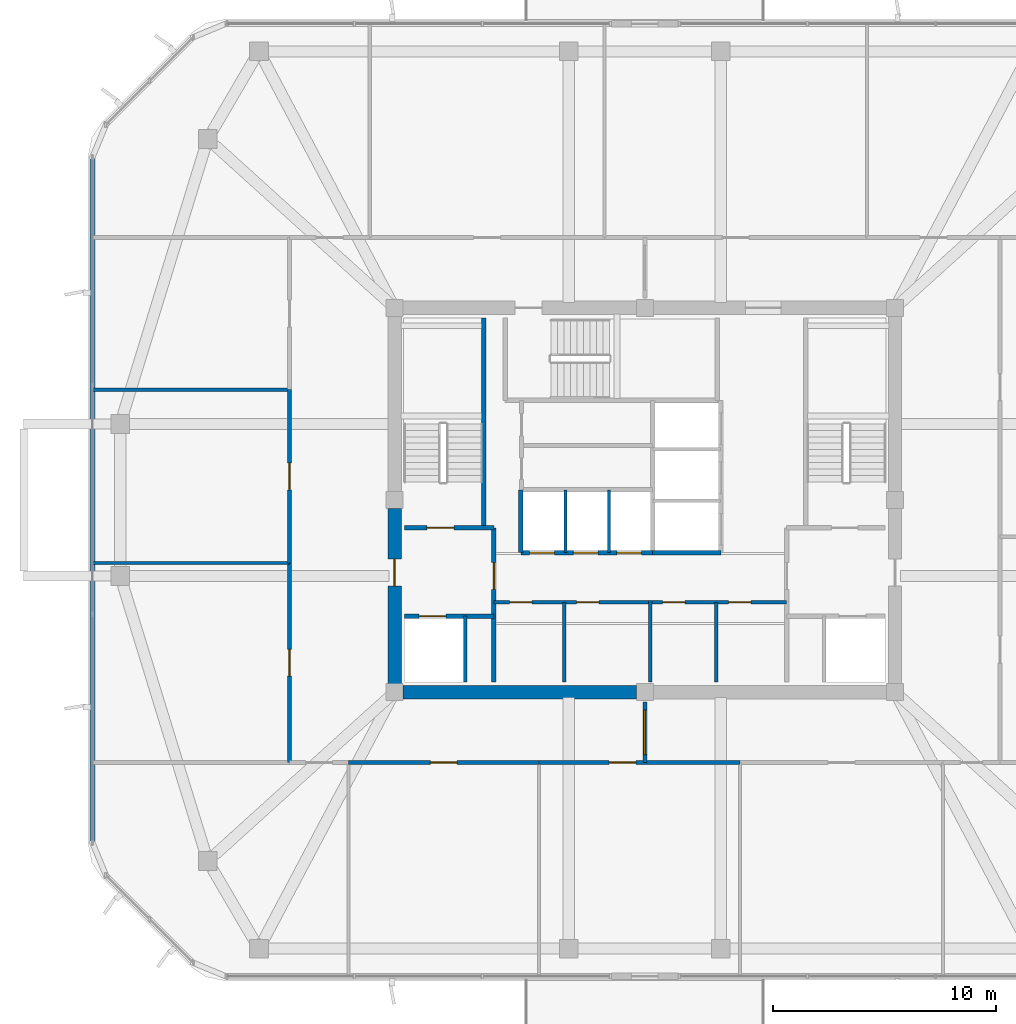
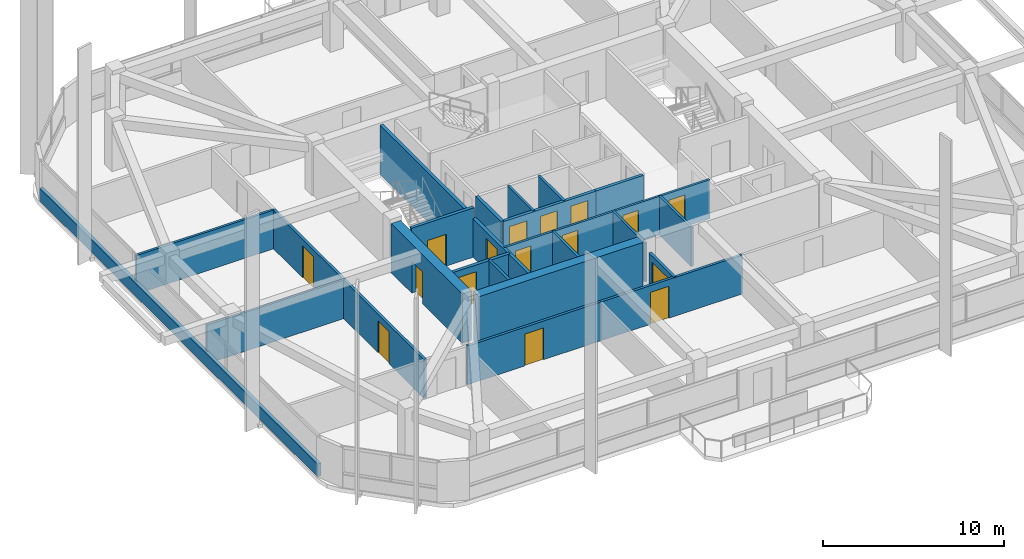
# One storey, part 7 of 12: 25 walls, 16 doors, 16 openings.
"""IFC4 building model written with IfcOpenShell, lengths in metres."""

from ifc_helpers import new_model, si_unit, derived_unit, direction, frame, frame_2d, origin, place, context, subcontext, project, spatial, rectangle, extrude, material, layer, layer_set, type_object, element, fill, save


model = new_model("IFC4")

# Units and contexts
model_context = context("Model", 3, precision=1e-05, world=origin(), true_north=direction((0.0, 1.0)))
body_context = subcontext(model_context, "Body", "Model", "MODEL_VIEW")
ifc_project = project(units=[si_unit("LENGTHUNIT", "METRE"), si_unit("AREAUNIT", "SQUARE_METRE"), si_unit("VOLUMEUNIT", "CUBIC_METRE"), si_unit("PLANEANGLEUNIT", "RADIAN"), si_unit("MASSUNIT", "GRAM", prefix="KILO"), derived_unit("THERMALTRANSMITTANCEUNIT", [(si_unit("POWERUNIT", "WATT"), 1), (si_unit("LENGTHUNIT", "METRE"), -2), (si_unit("THERMODYNAMICTEMPERATUREUNIT", "KELVIN"), -1)])], contexts=[model_context])

# Site, building, storey
site_placement = place(None, origin())
site = spatial("IfcSite", under=ifc_project, at=site_placement, CompositionType="ELEMENT")
building_placement = place(site_placement, origin())
building = spatial("IfcBuilding", under=site, at=building_placement, Name="Koralith Skygarden Medical Center", CompositionType="ELEMENT")
storey_placement = place(building_placement, frame((0.0, 0.0, 268.02001953125)))
storey = spatial("IfcBuildingStorey", under=building, at=storey_placement, Name="L69", CompositionType="ELEMENT", Elevation=268.02001953125)

# Wall, openings, doors
ifc_material_1 = material(Name="Gypsum Board Partition")
ifc_layer_1 = layer(ifc_material_1, 0.14990234375)
ifc_layer_set_1 = layer_set([ifc_layer_1], Name="Gypsum Board Partition")
wall_type_1 = type_object("IfcWallType", Name="Clinical Acoustic Partition 150", PredefinedType="PARTITIONING", material=ifc_layer_set_1)
wall_1_placement = place(storey_placement, frame((30.25, 21.320068359375, 0.0), z_axis=(0.0, 0.0, 1.0), x_axis=(1.0, 0.0, 0.0)))
wall_1 = element("IfcWall", 1, at=wall_1_placement, inside=storey, type_object=wall_type_1, Name="L69 Clinical Acoustic Partition 150 W-CORE-L69-FREED-LR-N", PredefinedType="PARTITIONING", context=body_context, shape_type="SweptSolid", body=[
    extrude(rectangle(XDim=7.0, YDim=0.14990234375, at=frame_2d((3.5, 0.0))), origin(), (0.0, 0.0, 1.0), 2.60986328125),
])
opening_1_placement = place(wall_1_placement, frame((0.699951171875, 0.0, 0.0)))
opening_1 = element("IfcOpeningElement", 2, at=opening_1_placement, cuts=wall_1, Name="Opening D-SUP", PredefinedType="OPENING", context=body_context, shape_type="SweptSolid", body=[
    extrude(rectangle(XDim=1.0, YDim=2.14990234375, at=frame_2d((0.5, 1.074951171875))), frame((0.0, 0.0849609375, 0.0), z_axis=(0.0, -1.0, 0.0), x_axis=(1.0, 0.0, 0.0)), (0.0, 0.0, 1.0), 0.169921875),
])
opening_2_placement = place(wall_1_placement, frame((3.699951171875, 0.0, 0.0)))
opening_2 = element("IfcOpeningElement", 3, at=opening_2_placement, cuts=wall_1, Name="Opening D-SUP", PredefinedType="OPENING", context=body_context, shape_type="SweptSolid", body=[
    extrude(rectangle(XDim=1.0, YDim=2.14990234375, at=frame_2d((0.5, 1.074951171875))), frame((0.0, 0.0849609375, 0.0), z_axis=(0.0, -1.0, 0.0), x_axis=(1.0, 0.0, 0.0)), (0.0, 0.0, 1.0), 0.169921875),
])
ifc_material_2 = material(Name="Aluminium 6063-T6", Category="aluminium")
door_type_1 = type_object("IfcDoorType", Name="Clinical Support Door D-SUP 1000", OperationType="NOTDEFINED", PredefinedType="DOOR", material=ifc_material_2)
door_1_placement = place(opening_1_placement, frame((1.0, 0.0, 0.0), z_axis=(0.0, 0.0, 1.0), x_axis=(-1.0, 0.0, 0.0)))
door_1 = element("IfcDoor", 4, at=door_1_placement, inside=storey, type_object=door_type_1, Name="L69 Medication Preparation Door", OperationType="SINGLE_SWING_LEFT", OverallHeight=2.14990234375, OverallWidth=1.0, PredefinedType="DOOR", context=body_context, shape_type="SweptSolid", body=[
    extrude(rectangle(XDim=1.0, YDim=2.14990234375, at=frame_2d((0.5, 1.074951171875))), frame((0.0, 0.02490234375, 0.0), z_axis=(0.0, -1.0, 0.0), x_axis=(1.0, 0.0, 0.0)), (0.0, 0.0, 1.0), 0.050048828125),
])
fill(opening_1, door_1)
door_2_placement = place(opening_2_placement, frame((1.0, 0.0, 0.0), z_axis=(0.0, 0.0, 1.0), x_axis=(-1.0, 0.0, 0.0)))
door_2 = element("IfcDoor", 5, at=door_2_placement, inside=storey, type_object=door_type_1, Name="L69 Telemetry Room Door", OperationType="SINGLE_SWING_RIGHT", OverallHeight=2.14990234375, OverallWidth=1.0, PredefinedType="DOOR", context=body_context, shape_type="SweptSolid", body=[
    extrude(rectangle(XDim=1.0, YDim=2.14990234375, at=frame_2d((0.5, 1.074951171875))), frame((0.0, 0.02490234375, 0.0), z_axis=(0.0, -1.0, 0.0), x_axis=(1.0, 0.0, 0.0)), (0.0, 0.0, 1.0), 0.050048828125),
])
fill(opening_2, door_2)

# Wall
wall_2_placement = place(storey_placement, frame((33.39990234375, 17.75, 0.0), z_axis=(0.0, 0.0, 1.0), x_axis=(0.0, 1.0, 0.0)))
element("IfcWall", 6, at=wall_2_placement, inside=storey, type_object=wall_type_1, Name="L69 Clinical Acoustic Partition 150 W-CORE-L69-FREED-LR-M", PredefinedType="PARTITIONING", context=body_context, shape_type="SweptSolid", body=[
    extrude(rectangle(XDim=3.570068359375, YDim=0.14990234375, at=frame_2d((1.78515625, 0.0))), origin(), (0.0, 0.0, 1.0), 2.60986328125),
])

# Wall, openings, doors
wall_3_placement = place(storey_placement, frame((37.25, 21.320068359375, 0.0), z_axis=(0.0, 0.0, 1.0), x_axis=(1.0, 0.0, 0.0)))
wall_3 = element("IfcWall", 7, at=wall_3_placement, inside=storey, type_object=wall_type_1, Name="L69 Clinical Acoustic Partition 150 W-CORE-L69-FREED-MR-N", PredefinedType="PARTITIONING", context=body_context, shape_type="SweptSolid", body=[
    extrude(rectangle(XDim=6.10009765625, YDim=0.14990234375, at=frame_2d((3.050048828125, 0.0))), origin(), (0.0, 0.0, 1.0), 2.60986328125),
])
opening_3_placement = place(wall_3_placement, frame((0.550048828125, 0.0, 0.0)))
opening_3 = element("IfcOpeningElement", 8, at=opening_3_placement, cuts=wall_3, Name="Opening D-SUP", PredefinedType="OPENING", context=body_context, shape_type="SweptSolid", body=[
    extrude(rectangle(XDim=1.0, YDim=2.14990234375, at=frame_2d((0.5, 1.074951171875))), frame((0.0, 0.0849609375, 0.0), z_axis=(0.0, -1.0, 0.0), x_axis=(1.0, 0.0, 0.0)), (0.0, 0.0, 1.0), 0.169921875),
])
opening_4_placement = place(wall_3_placement, frame((3.5, 0.0, 0.0)))
opening_4 = element("IfcOpeningElement", 9, at=opening_4_placement, cuts=wall_3, Name="Opening D-SUP", PredefinedType="OPENING", context=body_context, shape_type="SweptSolid", body=[
    extrude(rectangle(XDim=1.0, YDim=2.14990234375, at=frame_2d((0.5, 1.074951171875))), frame((0.0, 0.0849609375, 0.0), z_axis=(0.0, -1.0, 0.0), x_axis=(1.0, 0.0, 0.0)), (0.0, 0.0, 1.0), 0.169921875),
])
door_3_placement = place(opening_3_placement, frame((1.0, 0.0, 0.0), z_axis=(0.0, 0.0, 1.0), x_axis=(-1.0, 0.0, 0.0)))
door_3 = element("IfcDoor", 10, at=door_3_placement, inside=storey, type_object=door_type_1, Name="L69 Satellite Pharmacy Door", OperationType="SINGLE_SWING_LEFT", OverallHeight=2.14990234375, OverallWidth=1.0, PredefinedType="DOOR", context=body_context, shape_type="SweptSolid", body=[
    extrude(rectangle(XDim=1.0, YDim=2.14990234375, at=frame_2d((0.5, 1.074951171875))), frame((0.0, 0.02490234375, 0.0), z_axis=(0.0, -1.0, 0.0), x_axis=(1.0, 0.0, 0.0)), (0.0, 0.0, 1.0), 0.050048828125),
])
fill(opening_3, door_3)
door_4_placement = place(opening_4_placement, frame((1.0, 0.0, 0.0), z_axis=(0.0, 0.0, 1.0), x_axis=(-1.0, 0.0, 0.0)))
door_4 = element("IfcDoor", 11, at=door_4_placement, inside=storey, type_object=door_type_1, Name="L69 Biomedical Equipment Door", OperationType="SINGLE_SWING_RIGHT", OverallHeight=2.14990234375, OverallWidth=1.0, PredefinedType="DOOR", context=body_context, shape_type="SweptSolid", body=[
    extrude(rectangle(XDim=1.0, YDim=2.14990234375, at=frame_2d((0.5, 1.074951171875))), frame((0.0, 0.02490234375, 0.0), z_axis=(0.0, -1.0, 0.0), x_axis=(1.0, 0.0, 0.0)), (0.0, 0.0, 1.0), 0.050048828125),
])
fill(opening_4, door_4)

# Walls
wall_4_placement = place(storey_placement, frame((40.199951171875, 17.75, 0.0), z_axis=(0.0, 0.0, 1.0), x_axis=(0.0, 1.0, 0.0)))
element("IfcWall", 12, at=wall_4_placement, inside=storey, type_object=wall_type_1, Name="L69 Clinical Acoustic Partition 150 W-CORE-L69-FREED-MR-M", PredefinedType="PARTITIONING", context=body_context, shape_type="SweptSolid", body=[
    extrude(rectangle(XDim=3.570068359375, YDim=0.14990234375, at=frame_2d((1.78515625, 0.0))), origin(), (0.0, 0.0, 1.0), 2.60986328125),
])
for number, where, z_axis, x_axis, name in (
    (13, (21.10009765625, 23.080078125, 0.0), (0.0, 0.0, 1.0), (-1.0, 0.0, 0.0), "L69 Clinical Acoustic Partition 150 W-PART-L69-W-01"),
    (14, (21.10009765625, 30.8349609375, 0.0), (0.0, 0.0, 1.0), (-1.0, 0.0, 0.0), "L69 Clinical Acoustic Partition 150 W-PART-L69-W-02"),
):
    element("IfcWall", number, at=place(storey_placement, frame(where, z_axis=z_axis, x_axis=x_axis)), inside=storey, type_object=wall_type_1, Name=name, PredefinedType="PARTITIONING", context=body_context, shape_type="SweptSolid", body=[
        extrude(rectangle(XDim=8.800048828125, YDim=0.14990234375, at=frame_2d((4.39990234375, 0.0))), origin(), (0.0, 0.0, 1.0), 2.60986328125),
    ])

# Wall, opening, door
ifc_layer_2 = layer(ifc_material_1, 0.1650390625)
ifc_layer_set_2 = layer_set([ifc_layer_2], Name="Gypsum Board Partition")
wall_type_2 = type_object("IfcWallType", Name="Clinical Corridor Partition 165", PredefinedType="PARTITIONING", material=ifc_layer_set_2)
wall_5_placement = place(storey_placement, frame((23.739013671875, 14.14990234375, 0.0), z_axis=(0.0, 0.0, 1.0), x_axis=(1.0, 0.0, 0.0)))
wall_5 = element("IfcWall", 15, at=wall_5_placement, inside=storey, type_object=wall_type_2, Name="L69 Clinical Corridor Partition 165 W-CORR-L69-S-02", PredefinedType="PARTITIONING", context=body_context, shape_type="SweptSolid", body=[
    extrude(rectangle(XDim=8.52490234375, YDim=0.1650390625, at=frame_2d((4.262451171875, 0.0))), origin(), (0.0, 0.0, 1.0), 2.60986328125),
])
opening_5_placement = place(wall_5_placement, frame((3.6630859375, 0.0, 0.0)))
opening_5 = element("IfcOpeningElement", 16, at=opening_5_placement, cuts=wall_5, Name="Opening D-CLN", PredefinedType="OPENING", context=body_context, shape_type="SweptSolid", body=[
    extrude(rectangle(XDim=1.199951171875, YDim=2.14990234375, at=frame_2d((0.60009765625, 1.074951171875))), frame((0.0, 0.092529296875, 0.0), z_axis=(0.0, -1.0, 0.0), x_axis=(1.0, 0.0, 0.0)), (0.0, 0.0, 1.0), 0.18505859375),
])
door_type_2 = type_object("IfcDoorType", Name="Clinical Corridor Door D-CLN 1200", OperationType="NOTDEFINED", PredefinedType="DOOR", material=ifc_material_2)
door_5_placement = place(opening_5_placement, frame((1.199951171875, 0.0, 0.0), z_axis=(0.0, 0.0, 1.0), x_axis=(-1.0, 0.0, 0.0)))
door_5 = element("IfcDoor", 17, at=door_5_placement, inside=storey, type_object=door_type_2, Name="L69 Pulmonary Rehab Exercise Hall 06 Door", OperationType="SINGLE_SWING_LEFT", OverallHeight=2.14990234375, OverallWidth=1.199951171875, PredefinedType="DOOR", context=body_context, shape_type="SweptSolid", body=[
    extrude(rectangle(XDim=1.199951171875, YDim=2.14990234375, at=frame_2d((0.60009765625, 1.074951171875))), frame((0.0, 0.02490234375, 0.0), z_axis=(0.0, -1.0, 0.0), x_axis=(1.0, 0.0, 0.0)), (0.0, 0.0, 1.0), 0.050048828125),
])
fill(opening_5, door_5)

wall_6_placement = place(storey_placement, frame((32.263916015625, 14.14990234375, 0.0), z_axis=(0.0, 0.0, 1.0), x_axis=(1.0, 0.0, 0.0)))
wall_6 = element("IfcWall", 18, at=wall_6_placement, inside=storey, type_object=wall_type_2, Name="L69 Clinical Corridor Partition 165 W-CORR-L69-S-03", PredefinedType="PARTITIONING", context=body_context, shape_type="SweptSolid", body=[
    extrude(rectangle(XDim=8.998046875, YDim=0.1650390625, at=frame_2d((4.4990234375, 0.0))), origin(), (0.0, 0.0, 1.0), 2.60986328125),
])
opening_6_placement = place(wall_6_placement, frame((3.135986328125, 0.0, 0.0)))
opening_6 = element("IfcOpeningElement", 19, at=opening_6_placement, cuts=wall_6, Name="Opening D-CLN", PredefinedType="OPENING", context=body_context, shape_type="SweptSolid", body=[
    extrude(rectangle(XDim=1.199951171875, YDim=2.14990234375, at=frame_2d((0.60009765625, 1.074951171875))), frame((0.0, 0.092529296875, 0.0), z_axis=(0.0, -1.0, 0.0), x_axis=(1.0, 0.0, 0.0)), (0.0, 0.0, 1.0), 0.18505859375),
])
door_6_placement = place(opening_6_placement, frame((1.199951171875, 0.0, 0.0), z_axis=(0.0, 0.0, 1.0), x_axis=(-1.0, 0.0, 0.0)))
door_6 = element("IfcDoor", 20, at=door_6_placement, inside=storey, type_object=door_type_2, Name="L69 Patient and Family Sky-Garden Day Lounge 07 Door", OperationType="SINGLE_SWING_RIGHT", OverallHeight=2.14990234375, OverallWidth=1.199951171875, PredefinedType="DOOR", context=body_context, shape_type="SweptSolid", body=[
    extrude(rectangle(XDim=1.199951171875, YDim=2.14990234375, at=frame_2d((0.60009765625, 1.074951171875))), frame((0.0, 0.02490234375, 0.0), z_axis=(0.0, -1.0, 0.0), x_axis=(1.0, 0.0, 0.0)), (0.0, 0.0, 1.0), 0.050048828125),
])
fill(opening_6, door_6)

wall_7_placement = place(storey_placement, frame((21.10009765625, 14.14990234375, 0.0), z_axis=(0.0, 0.0, 1.0), x_axis=(0.0, 1.0, 0.0)))
wall_7 = element("IfcWall", 21, at=wall_7_placement, inside=storey, type_object=wall_type_2, Name="L69 Clinical Corridor Partition 165 W-CORR-L69-W-01", PredefinedType="PARTITIONING", context=body_context, shape_type="SweptSolid", body=[
    extrude(rectangle(XDim=8.93017578125, YDim=0.1650390625, at=frame_2d((4.465087890625, 0.0))), origin(), (0.0, 0.0, 1.0), 2.60986328125),
])
opening_7_placement = place(wall_7_placement, frame((3.864990234375, 0.0, 0.0)))
opening_7 = element("IfcOpeningElement", 22, at=opening_7_placement, cuts=wall_7, Name="Opening D-CLN", PredefinedType="OPENING", context=body_context, shape_type="SweptSolid", body=[
    extrude(rectangle(XDim=1.199951171875, YDim=2.14990234375, at=frame_2d((0.60009765625, 1.074951171875))), frame((0.0, 0.092529296875, 0.0), z_axis=(0.0, -1.0, 0.0), x_axis=(1.0, 0.0, 0.0)), (0.0, 0.0, 1.0), 0.18505859375),
])
door_7_placement = place(opening_7_placement, frame((1.199951171875, 0.0, 0.0), z_axis=(0.0, 0.0, 1.0), x_axis=(-1.0, 0.0, 0.0)))
door_7 = element("IfcDoor", 23, at=door_7_placement, inside=storey, type_object=door_type_2, Name="L69 Oxygen Cylinder Alcove Store 10 Door", OperationType="SINGLE_SWING_LEFT", OverallHeight=2.14990234375, OverallWidth=1.199951171875, PredefinedType="DOOR", context=body_context, shape_type="SweptSolid", body=[
    extrude(rectangle(XDim=1.199951171875, YDim=2.14990234375, at=frame_2d((0.60009765625, 1.074951171875))), frame((0.0, 0.02490234375, 0.0), z_axis=(0.0, -1.0, 0.0), x_axis=(1.0, 0.0, 0.0)), (0.0, 0.0, 1.0), 0.050048828125),
])
fill(opening_7, door_7)

wall_8_placement = place(storey_placement, frame((21.10009765625, 23.080078125, 0.0), z_axis=(0.0, 0.0, 1.0), x_axis=(0.0, 1.0, 0.0)))
wall_8 = element("IfcWall", 24, at=wall_8_placement, inside=storey, type_object=wall_type_2, Name="L69 Clinical Corridor Partition 165 W-CORR-L69-W-02", PredefinedType="PARTITIONING", context=body_context, shape_type="SweptSolid", body=[
    extrude(rectangle(XDim=7.7548828125, YDim=0.1650390625, at=frame_2d((3.87744140625, 0.0))), origin(), (0.0, 0.0, 1.0), 2.60986328125),
])
opening_8_placement = place(wall_8_placement, frame((3.278076171875, 0.0, 0.0)))
opening_8 = element("IfcOpeningElement", 25, at=opening_8_placement, cuts=wall_8, Name="Opening D-CLN", PredefinedType="OPENING", context=body_context, shape_type="SweptSolid", body=[
    extrude(rectangle(XDim=1.199951171875, YDim=2.14990234375, at=frame_2d((0.60009765625, 1.074951171875))), frame((0.0, 0.092529296875, 0.0), z_axis=(0.0, -1.0, 0.0), x_axis=(1.0, 0.0, 0.0)), (0.0, 0.0, 1.0), 0.18505859375),
])
door_8_placement = place(opening_8_placement, frame((1.199951171875, 0.0, 0.0), z_axis=(0.0, 0.0, 1.0), x_axis=(-1.0, 0.0, 0.0)))
door_8 = element("IfcDoor", 26, at=door_8_placement, inside=storey, type_object=door_type_2, Name="L69 Pulmonary Rehab Exercise Hall 11 Door", OperationType="SINGLE_SWING_RIGHT", OverallHeight=2.14990234375, OverallWidth=1.199951171875, PredefinedType="DOOR", context=body_context, shape_type="SweptSolid", body=[
    extrude(rectangle(XDim=1.199951171875, YDim=2.14990234375, at=frame_2d((0.60009765625, 1.074951171875))), frame((0.0, 0.02490234375, 0.0), z_axis=(0.0, -1.0, 0.0), x_axis=(1.0, 0.0, 0.0)), (0.0, 0.0, 1.0), 0.050048828125),
])
fill(opening_8, door_8)

ifc_layer_3 = layer(ifc_material_1, 0.199951171875)
ifc_layer_set_3 = layer_set([ifc_layer_3], Name="Gypsum Board Partition")
wall_type_3 = type_object("IfcWallType", Name="Fire Shaft Wall 200", PredefinedType="SOLIDWALL", material=ifc_layer_set_3)
wall_9_placement = place(storey_placement, frame((26.25, 20.699951171875, 0.0), z_axis=(0.0, 0.0, 1.0), x_axis=(1.0, 0.0, 0.0)))
wall_9 = element("IfcWall", 27, at=wall_9_placement, inside=storey, type_object=wall_type_3, Name="L69 Fire Shaft Wall 200 W-CORE-L69-FF1-N", PredefinedType="SOLIDWALL", context=body_context, shape_type="SweptSolid", body=[
    extrude(rectangle(XDim=4.0, YDim=0.199951171875, at=frame_2d((2.0, 0.0))), origin(), (0.0, 0.0, 1.0), 2.60986328125),
])
opening_9_placement = place(wall_9_placement, frame((0.64990234375, 0.0, 0.0)))
opening_9 = element("IfcOpeningElement", 28, at=opening_9_placement, cuts=wall_9, Name="Opening LD-FF", PredefinedType="OPENING", context=body_context, shape_type="SweptSolid", body=[
    extrude(rectangle(XDim=1.199951171875, YDim=2.14990234375, at=frame_2d((0.60009765625, 1.074951171875))), frame((0.0, 0.10986328125, 0.0), z_axis=(0.0, -1.0, 0.0), x_axis=(1.0, 0.0, 0.0)), (0.0, 0.0, 1.0), 0.219970703125),
])
ifc_material_3 = material(Name="Steel ASTM A500 Grade C", Category="steel")
door_type_3 = type_object("IfcDoorType", Name="Fire Lift Sliding Landing Door LD-FF 1200", OperationType="NOTDEFINED", PredefinedType="DOOR", material=ifc_material_3)
door_9_placement = place(opening_9_placement, origin())
door_9 = element("IfcDoor", 29, at=door_9_placement, inside=storey, type_object=door_type_3, Name="L69 Fire Service Elevator FF1 Landing Door", OperationType="SLIDING_TO_LEFT", OverallHeight=2.14990234375, OverallWidth=1.199951171875, PredefinedType="DOOR", context=body_context, shape_type="SweptSolid", body=[
    extrude(rectangle(XDim=1.199951171875, YDim=2.14990234375, at=frame_2d((0.60009765625, 1.074951171875))), frame((0.0, 0.02490234375, 0.0), z_axis=(0.0, -1.0, 0.0), x_axis=(1.0, 0.0, 0.0)), (0.0, 0.0, 1.0), 0.050048828125),
])
fill(opening_9, door_9)

wall_10_placement = place(storey_placement, frame((30.25, 17.75, 0.0), z_axis=(0.0, 0.0, 1.0), x_axis=(0.0, 1.0, 0.0)))
wall_10 = element("IfcWall", 30, at=wall_10_placement, inside=storey, type_object=wall_type_3, Name="L69 Fire Shaft Wall 200 W-CORE-L69-FSAEW-E", PredefinedType="SOLIDWALL", context=body_context, shape_type="SweptSolid", body=[
    extrude(rectangle(XDim=6.89990234375, YDim=0.199951171875, at=frame_2d((3.449951171875, 0.0))), origin(), (0.0, 0.0, 1.0), 2.60986328125),
])
opening_10_placement = place(wall_10_placement, frame((4.14990234375, 0.0, 0.0)))
opening_10 = element("IfcOpeningElement", 31, at=opening_10_placement, cuts=wall_10, Name="Opening D-ST60", PredefinedType="OPENING", context=body_context, shape_type="SweptSolid", body=[
    extrude(rectangle(XDim=1.199951171875, YDim=2.14990234375, at=frame_2d((0.60009765625, 1.074951171875))), frame((0.0, 0.10986328125, 0.0), z_axis=(0.0, -1.0, 0.0), x_axis=(1.0, 0.0, 0.0)), (0.0, 0.0, 1.0), 0.219970703125),
])
door_type_4 = type_object("IfcDoorType", Name="Smokeproof Stair Fire Door FD60S 1200", OperationType="NOTDEFINED", PredefinedType="DOOR", material=ifc_material_3)
door_10_placement = place(opening_10_placement, origin())
door_10 = element("IfcDoor", 32, at=door_10_placement, inside=storey, type_object=door_type_4, Name="L69 West Firefighting Lobby Inner Fire Door", OperationType="SINGLE_SWING_LEFT", OverallHeight=2.14990234375, OverallWidth=1.199951171875, PredefinedType="DOOR", context=body_context, shape_type="SweptSolid", body=[
    extrude(rectangle(XDim=1.199951171875, YDim=2.14990234375, at=frame_2d((0.60009765625, 1.074951171875))), frame((0.0, 0.02490234375, 0.0), z_axis=(0.0, -1.0, 0.0), x_axis=(1.0, 0.0, 0.0)), (0.0, 0.0, 1.0), 0.050048828125),
])
fill(opening_10, door_10)

# Wall, openings, doors
wall_11_placement = place(storey_placement, frame((31.449951171875, 23.5400390625, 0.0), z_axis=(0.0, 0.0, 1.0), x_axis=(1.0, 0.0, 0.0)))
wall_11 = element("IfcWall", 33, at=wall_11_placement, inside=storey, type_object=wall_type_3, Name="L69 Fire Shaft Wall 200 W-CORE-L69-PH-S", PredefinedType="SOLIDWALL", context=body_context, shape_type="SweptSolid", body=[
    extrude(rectangle(XDim=5.900146484375, YDim=0.199951171875, at=frame_2d((2.9501953125, 0.0))), origin(), (0.0, 0.0, 1.0), 2.60986328125),
])
opening_11_placement = place(wall_11_placement, frame((0.39990234375, 0.0, 0.0)))
opening_11 = element("IfcOpeningElement", 34, at=opening_11_placement, cuts=wall_11, Name="Opening LD-P", PredefinedType="OPENING", context=body_context, shape_type="SweptSolid", body=[
    extrude(rectangle(XDim=1.10009765625, YDim=2.14990234375, at=frame_2d((0.550048828125, 1.074951171875))), frame((0.0, 0.10986328125, 0.0), z_axis=(0.0, -1.0, 0.0), x_axis=(1.0, 0.0, 0.0)), (0.0, 0.0, 1.0), 0.219970703125),
])
opening_12_placement = place(wall_11_placement, frame((2.35009765625, 0.0, 0.0)))
opening_12 = element("IfcOpeningElement", 35, at=opening_12_placement, cuts=wall_11, Name="Opening LD-P", PredefinedType="OPENING", context=body_context, shape_type="SweptSolid", body=[
    extrude(rectangle(XDim=1.10009765625, YDim=2.14990234375, at=frame_2d((0.550048828125, 1.074951171875))), frame((0.0, 0.10986328125, 0.0), z_axis=(0.0, -1.0, 0.0), x_axis=(1.0, 0.0, 0.0)), (0.0, 0.0, 1.0), 0.219970703125),
])
opening_13_placement = place(wall_11_placement, frame((4.300048828125, 0.0, 0.0)))
opening_13 = element("IfcOpeningElement", 36, at=opening_13_placement, cuts=wall_11, Name="Opening LD-P", PredefinedType="OPENING", context=body_context, shape_type="SweptSolid", body=[
    extrude(rectangle(XDim=1.10009765625, YDim=2.14990234375, at=frame_2d((0.550048828125, 1.074951171875))), frame((0.0, 0.10986328125, 0.0), z_axis=(0.0, -1.0, 0.0), x_axis=(1.0, 0.0, 0.0)), (0.0, 0.0, 1.0), 0.219970703125),
])
door_type_5 = type_object("IfcDoorType", Name="Passenger Lift Sliding Landing Door LD-P 1100", OperationType="NOTDEFINED", PredefinedType="DOOR", material=ifc_material_3)
door_11_placement = place(opening_11_placement, origin())
door_11 = element("IfcDoor", 37, at=door_11_placement, inside=storey, type_object=door_type_5, Name="L69 Passenger Elevator PH1 Landing Door", OperationType="SLIDING_TO_RIGHT", OverallHeight=2.14990234375, OverallWidth=1.10009765625, PredefinedType="DOOR", context=body_context, shape_type="SweptSolid", body=[
    extrude(rectangle(XDim=1.10009765625, YDim=2.14990234375, at=frame_2d((0.550048828125, 1.074951171875))), frame((0.0, 0.02490234375, 0.0), z_axis=(0.0, -1.0, 0.0), x_axis=(1.0, 0.0, 0.0)), (0.0, 0.0, 1.0), 0.050048828125),
])
fill(opening_11, door_11)
door_12_placement = place(opening_12_placement, origin())
door_12 = element("IfcDoor", 38, at=door_12_placement, inside=storey, type_object=door_type_5, Name="L69 Passenger Elevator PH2 Landing Door", OperationType="SLIDING_TO_RIGHT", OverallHeight=2.14990234375, OverallWidth=1.10009765625, PredefinedType="DOOR", context=body_context, shape_type="SweptSolid", body=[
    extrude(rectangle(XDim=1.10009765625, YDim=2.14990234375, at=frame_2d((0.550048828125, 1.074951171875))), frame((0.0, 0.02490234375, 0.0), z_axis=(0.0, -1.0, 0.0), x_axis=(1.0, 0.0, 0.0)), (0.0, 0.0, 1.0), 0.050048828125),
])
fill(opening_12, door_12)
door_13_placement = place(opening_13_placement, origin())
door_13 = element("IfcDoor", 39, at=door_13_placement, inside=storey, type_object=door_type_5, Name="L69 Passenger Elevator PH3 Landing Door", OperationType="SLIDING_TO_RIGHT", OverallHeight=2.14990234375, OverallWidth=1.10009765625, PredefinedType="DOOR", context=body_context, shape_type="SweptSolid", body=[
    extrude(rectangle(XDim=1.10009765625, YDim=2.14990234375, at=frame_2d((0.550048828125, 1.074951171875))), frame((0.0, 0.02490234375, 0.0), z_axis=(0.0, -1.0, 0.0), x_axis=(1.0, 0.0, 0.0)), (0.0, 0.0, 1.0), 0.050048828125),
])
fill(opening_13, door_13)

# Walls
wall_12_placement = place(storey_placement, frame((31.449951171875, 23.5400390625, 0.0), z_axis=(0.0, 0.0, 1.0), x_axis=(0.0, 1.0, 0.0)))
element("IfcWall", 40, at=wall_12_placement, inside=storey, type_object=wall_type_3, Name="L69 Fire Shaft Wall 200 W-CORE-L69-PH-W", PredefinedType="SOLIDWALL", context=body_context, shape_type="SweptSolid", body=[
    extrude(rectangle(XDim=2.81005859375, YDim=0.199951171875, at=frame_2d((1.405029296875, 0.0))), origin(), (0.0, 0.0, 1.0), 2.60986328125),
])
wall_13_placement = place(storey_placement, frame((37.35009765625, 23.5400390625, 0.0), z_axis=(0.0, 0.0, 1.0), x_axis=(1.0, 0.0, 0.0)))
element("IfcWall", 41, at=wall_13_placement, inside=storey, type_object=wall_type_3, Name="L69 Fire Shaft Wall 200 W-CORE-L69-SV-S", PredefinedType="SOLIDWALL", context=body_context, shape_type="SweptSolid", body=[
    extrude(rectangle(XDim=3.0498046875, YDim=0.199951171875, at=frame_2d((1.52490234375, 0.0))), origin(), (0.0, 0.0, 1.0), 2.60986328125),
])

# Wall, opening, door
ifc_layer_4 = layer(ifc_material_1, 0.179931640625)
ifc_layer_set_4 = layer_set([ifc_layer_4], Name="Gypsum Board Partition")
wall_type_4 = type_object("IfcWallType", Name="Group I-2 Smoke Barrier Wall 180", PredefinedType="PARTITIONING", material=ifc_layer_set_4)
wall_14_placement = place(storey_placement, frame((37.0, 14.14990234375, 0.0), z_axis=(0.0, 0.0, 1.0), x_axis=(0.0, 1.0, 0.0)))
wall_14 = element("IfcWall", 42, at=wall_14_placement, inside=storey, type_object=wall_type_4, Name="L69 Group I-2 Smoke Barrier Wall 180 W-SMK-L69-S", PredefinedType="PARTITIONING", context=body_context, shape_type="SweptSolid", body=[
    extrude(rectangle(XDim=2.7001953125, YDim=0.179931640625, at=frame_2d((1.35009765625, 0.0))), origin(), (0.0, 0.0, 1.0), 2.60986328125),
])
opening_14_placement = place(wall_14_placement, frame((0.35009765625, 0.0, 0.0)))
opening_14 = element("IfcOpeningElement", 43, at=opening_14_placement, cuts=wall_14, Name="Opening D-SMK", PredefinedType="OPENING", context=body_context, shape_type="SweptSolid", body=[
    extrude(rectangle(XDim=2.0, YDim=2.199951171875, at=frame_2d((1.0, 1.10009765625))), frame((0.0, 0.099853515625, 0.0), z_axis=(0.0, -1.0, 0.0), x_axis=(1.0, 0.0, 0.0)), (0.0, 0.0, 1.0), 0.199951171875),
])
door_type_6 = type_object("IfcDoorType", Name="Cross-Corridor Double Smoke Door FD60S 2000", OperationType="NOTDEFINED", PredefinedType="DOOR", material=ifc_material_3)
door_14_placement = place(opening_14_placement, frame((2.0, 0.0, 0.0), z_axis=(0.0, 0.0, 1.0), x_axis=(-1.0, 0.0, 0.0)))
door_14 = element("IfcDoor", 44, at=door_14_placement, inside=storey, type_object=door_type_6, Name="L69 S Smoke Compartment Cross-Corridor Door", OperationType="DOUBLE_DOOR_SINGLE_SWING", OverallHeight=2.199951171875, OverallWidth=2.0, PredefinedType="DOOR", context=body_context, shape_type="SweptSolid", body=[
    extrude(rectangle(XDim=2.0, YDim=2.199951171875, at=frame_2d((1.0, 1.10009765625))), frame((0.0, 0.02490234375, 0.0), z_axis=(0.0, -1.0, 0.0), x_axis=(1.0, 0.0, 0.0)), (0.0, 0.0, 1.0), 0.050048828125),
])
fill(opening_14, door_14)

# Walls
ifc_material_4 = material(Name="Warm Oolitic Limestone Cladding", Category="masonry")
ifc_layer_5 = layer(ifc_material_4, 0.239990234375)
ifc_layer_set_5 = layer_set([ifc_layer_5], Name="Warm Oolitic Limestone Cladding")
wall_type_5 = type_object("IfcWallType", Name="Limestone Spandrel Sill Backup Wall 240", PredefinedType="SOLIDWALL", material=ifc_layer_set_5)
wall_15_placement = place(storey_placement, frame((12.280029296875, 41.2451171875, 0.0), z_axis=(0.0, 0.0, 1.0), x_axis=(0.0, -1.0, 0.0)))
element("IfcWall", 45, at=wall_15_placement, inside=storey, type_object=wall_type_5, Name="L69 Sill Spandrel W", PredefinedType="SOLIDWALL", context=body_context, shape_type="SweptSolid", body=[
    extrude(rectangle(XDim=30.690185546875, YDim=0.239990234375, at=frame_2d((15.34521484375, 0.0))), origin(), (0.0, 0.0, 1.0), 0.85009765625),
])
ifc_layer_6 = layer(ifc_material_1, 0.14990234375)
ifc_layer_set_6 = layer_set([ifc_layer_6], Name="Gypsum Board Partition")
wall_type_6 = type_object("IfcWallType", Name="Shaft Partition Wall 150", PredefinedType="PARTITIONING", material=ifc_layer_set_6)
wall_16_placement = place(storey_placement, frame((28.969970703125, 17.75, 0.0), z_axis=(0.0, 0.0, 1.0), x_axis=(0.0, 1.0, 0.0)))
element("IfcWall", 46, at=wall_16_placement, inside=storey, type_object=wall_type_6, Name="L69 Shaft Partition Wall 150 W-CORE-L69-RSRW-DIV", PredefinedType="PARTITIONING", context=body_context, shape_type="SweptSolid", body=[
    extrude(rectangle(XDim=2.949951171875, YDim=0.14990234375, at=frame_2d((1.47509765625, 0.0))), origin(), (0.0, 0.0, 1.0), 2.60986328125),
])
wall_17_placement = place(storey_placement, frame((37.25, 17.75, 0.0), z_axis=(0.0, 0.0, 1.0), x_axis=(0.0, 1.0, 0.0)))
element("IfcWall", 47, at=wall_17_placement, inside=storey, type_object=wall_type_6, Name="L69 Shaft Partition Wall 150 W-CORE-L69-PL-PM-SEP", PredefinedType="PARTITIONING", context=body_context, shape_type="SweptSolid", body=[
    extrude(rectangle(XDim=3.64990234375, YDim=0.14990234375, at=frame_2d((1.824951171875, 0.0))), origin(), (0.0, 0.0, 1.0), 2.60986328125),
])
for number, where, z_axis, x_axis, name in (
    (48, (33.449951171875, 23.5400390625, 0.0), (0.0, 0.0, 1.0), (0.0, 1.0, 0.0), "L69 Shaft Partition Wall 150 W-CORE-L69-PH-D1"),
    (49, (35.39990234375, 23.5400390625, 0.0), (0.0, 0.0, 1.0), (0.0, 1.0, 0.0), "L69 Shaft Partition Wall 150 W-CORE-L69-PH-D2"),
):
    element("IfcWall", number, at=place(storey_placement, frame(where, z_axis=z_axis, x_axis=x_axis)), inside=storey, type_object=wall_type_6, Name=name, PredefinedType="PARTITIONING", context=body_context, shape_type="SweptSolid", body=[
        extrude(rectangle(XDim=2.81005859375, YDim=0.14990234375, at=frame_2d((1.405029296875, 0.0))), origin(), (0.0, 0.0, 1.0), 2.60986328125),
    ])
ifc_material_5 = material(Name="Concrete C45/55", Category="concrete")
ifc_layer_7 = layer(ifc_material_5, 0.199951171875)
ifc_layer_set_7 = layer_set([ifc_layer_7], Name="Concrete C45/55")
wall_type_7 = type_object("IfcWallType", Name="Structural Stair Shaft Wall 200", PredefinedType="SHEAR", material=ifc_layer_set_7)
wall_18_placement = place(storey_placement, frame((29.800048828125, 24.64990234375, 0.0), z_axis=(0.0, 0.0, 1.0), x_axis=(0.0, 1.0, 0.0)))
element("IfcWall", 50, at=wall_18_placement, inside=storey, type_object=wall_type_7, Name="L69 Structural Stair Shaft Wall 200 W-CORE-L69-ST1-E", PredefinedType="SHEAR", context=body_context, shape_type="SweptSolid", body=[
    extrude(rectangle(XDim=9.400146484375, YDim=0.199951171875, at=frame_2d((4.7001953125, 0.0))), origin(), (0.0, 0.0, 1.0), 3.320068359375),
])

# Wall, opening, door
wall_19_placement = place(storey_placement, frame((26.25, 24.64990234375, 0.0), z_axis=(0.0, 0.0, 1.0), x_axis=(1.0, 0.0, 0.0)))
wall_19 = element("IfcWall", 51, at=wall_19_placement, inside=storey, type_object=wall_type_7, Name="L69 Structural Stair Shaft Wall 200 W-CORE-L69-ST1-S", PredefinedType="SHEAR", context=body_context, shape_type="SweptSolid", body=[
    extrude(rectangle(XDim=4.0, YDim=0.199951171875, at=frame_2d((2.0, 0.0))), origin(), (0.0, 0.0, 1.0), 3.320068359375),
])
opening_15_placement = place(wall_19_placement, frame((1.0, 0.0, 0.0)))
opening_15 = element("IfcOpeningElement", 52, at=opening_15_placement, cuts=wall_19, Name="Opening D-ST60", PredefinedType="OPENING", context=body_context, shape_type="SweptSolid", body=[
    extrude(rectangle(XDim=1.199951171875, YDim=2.14990234375, at=frame_2d((0.60009765625, 1.074951171875))), frame((0.0, 0.10986328125, 0.0), z_axis=(0.0, -1.0, 0.0), x_axis=(1.0, 0.0, 0.0)), (0.0, 0.0, 1.0), 0.219970703125),
])
door_15_placement = place(opening_15_placement, origin())
door_15 = element("IfcDoor", 53, at=door_15_placement, inside=storey, type_object=door_type_4, Name="L69 Exit Stair ST1 Fire Door", OperationType="SINGLE_SWING_LEFT", OverallHeight=2.14990234375, OverallWidth=1.199951171875, PredefinedType="DOOR", context=body_context, shape_type="SweptSolid", body=[
    extrude(rectangle(XDim=1.199951171875, YDim=2.14990234375, at=frame_2d((0.60009765625, 1.074951171875))), frame((0.0, 0.02490234375, 0.0), z_axis=(0.0, -1.0, 0.0), x_axis=(1.0, 0.0, 0.0)), (0.0, 0.0, 1.0), 0.050048828125),
])
fill(opening_15, door_15)

# Wall
ifc_material_6 = material(Name="Concrete C55/67", Category="concrete")
ifc_layer_8 = layer(ifc_material_6, 0.60009765625)
ifc_layer_set_8 = layer_set([ifc_layer_8], Name="Concrete C55/67")
wall_type_8 = type_object("IfcWallType", Name="Upper Core Shear Wall 600", PredefinedType="SHEAR", material=ifc_layer_set_8)
wall_20_placement = place(storey_placement, frame((26.175048828125, 17.300048828125, 0.0), z_axis=(0.0, 0.0, 1.0), x_axis=(1.0, 0.0, 0.0)))
element("IfcWall", 54, at=wall_20_placement, inside=storey, type_object=wall_type_8, Name="L69 Core Shear Wall Segment 1", PredefinedType="SHEAR", context=body_context, shape_type="SweptSolid", body=[
    extrude(rectangle(XDim=10.449951171875, YDim=0.60009765625, at=frame_2d((5.22509765625, 0.0))), origin(), (0.0, 0.0, 1.0), 3.320068359375),
])

# Wall, opening, door
wall_21_placement = place(storey_placement, frame((25.800048828125, 25.52490234375, 0.0), z_axis=(0.0, 0.0, 1.0), x_axis=(0.0, -1.0, 0.0)))
wall_21 = element("IfcWall", 55, at=wall_21_placement, inside=storey, type_object=wall_type_8, Name="L69 Core Shear Wall Segment 8", PredefinedType="SHEAR", context=body_context, shape_type="SweptSolid", body=[
    extrude(rectangle(XDim=7.849853515625, YDim=0.60009765625, at=frame_2d((3.9248046875, 0.0))), origin(), (0.0, 0.0, 1.0), 3.320068359375),
])
opening_16_placement = place(wall_21_placement, frame((2.27490234375, 0.0, 0.0)))
opening_16 = element("IfcOpeningElement", 56, at=opening_16_placement, cuts=wall_21, Name="Opening D-ST60", PredefinedType="OPENING", context=body_context, shape_type="SweptSolid", body=[
    extrude(rectangle(XDim=1.199951171875, YDim=2.14990234375, at=frame_2d((0.60009765625, 1.074951171875))), frame((0.0, 0.31005859375, 0.0), z_axis=(0.0, -1.0, 0.0), x_axis=(1.0, 0.0, 0.0)), (0.0, 0.0, 1.0), 0.6201171875),
])
door_16_placement = place(opening_16_placement, frame((1.199951171875, 0.0, 0.0), z_axis=(0.0, 0.0, 1.0), x_axis=(-1.0, 0.0, 0.0)))
door_16 = element("IfcDoor", 57, at=door_16_placement, inside=storey, type_object=door_type_4, Name="L69 West Corridor to Firefighting Lobby Door", OperationType="SINGLE_SWING_LEFT", OverallHeight=2.14990234375, OverallWidth=1.199951171875, PredefinedType="DOOR", context=body_context, shape_type="SweptSolid", body=[
    extrude(rectangle(XDim=1.199951171875, YDim=2.14990234375, at=frame_2d((0.60009765625, 1.074951171875))), frame((0.0, 0.02490234375, 0.0), z_axis=(0.0, -1.0, 0.0), x_axis=(1.0, 0.0, 0.0)), (0.0, 0.0, 1.0), 0.050048828125),
])
fill(opening_16, door_16)

save(model, "model.ifc")
